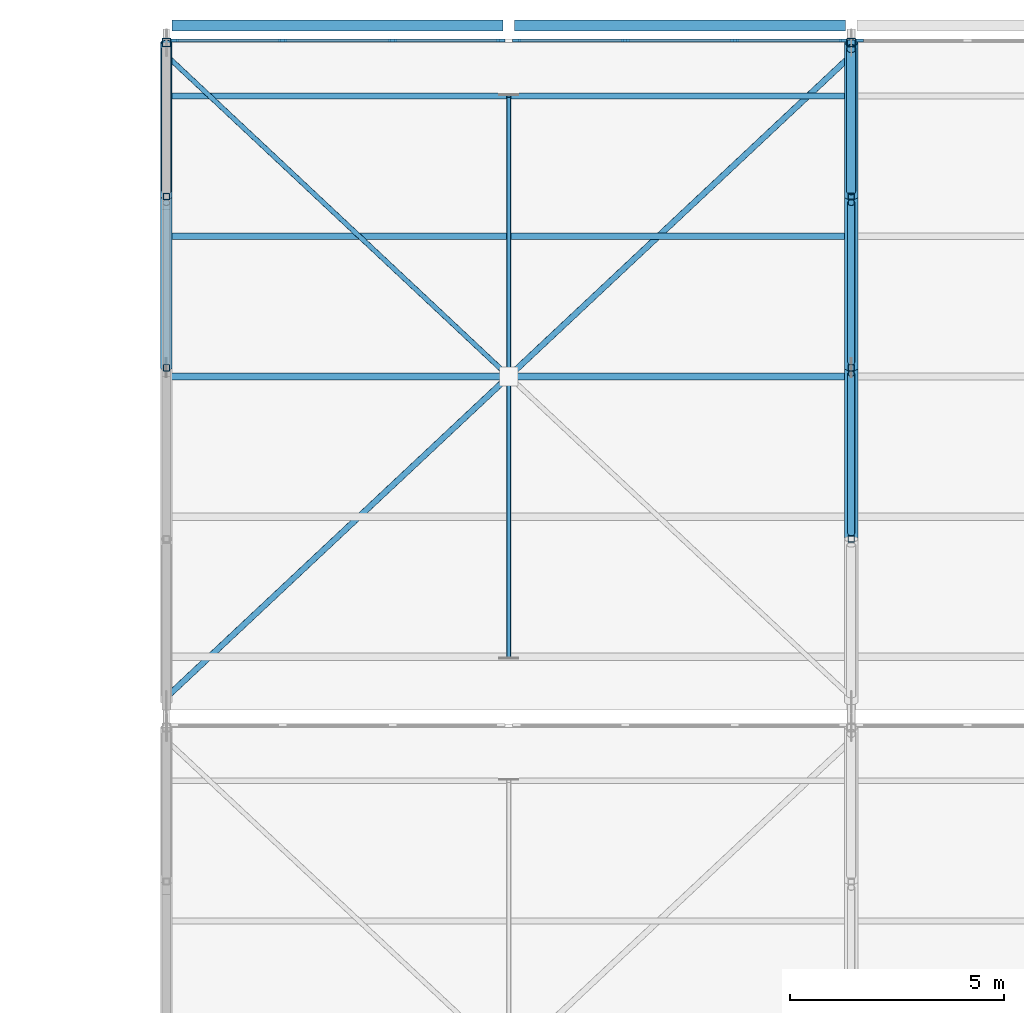
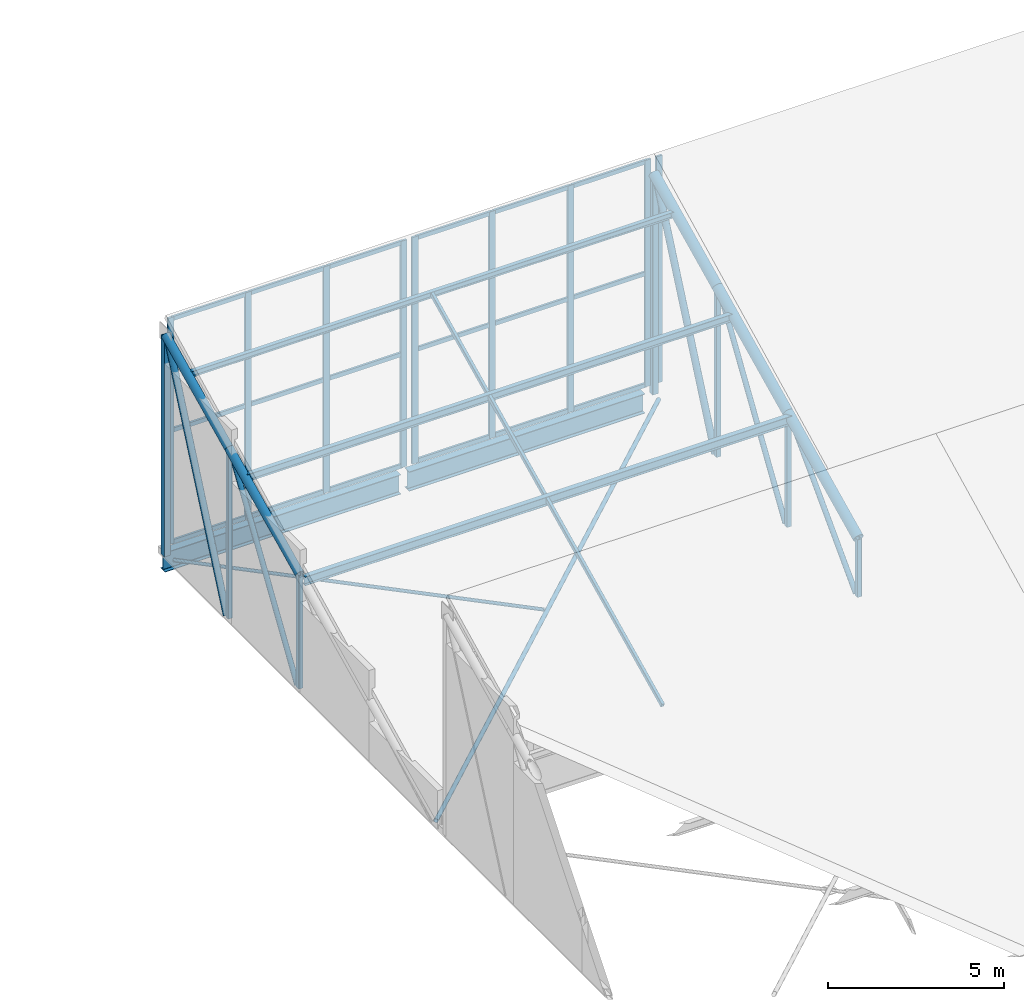
# One storey, part 44 of 137: 47 members, 5 beams, 3 elements without a shape of their own.
"""IFC4 building model written with IfcOpenShell, lengths in metres."""

from ifc_helpers import new_model, si_unit, direction, frame, origin, origin_2d, place, context, subcontext, project, spatial, rectangle, hollow_rectangle, hollow_circle, i_section, extrude, material, layer, layer_set, material_profile, profile_set, type_object, element, aggregate, save


model = new_model("IFC4")

# Units and contexts
model_context = context("Model", 3, precision=1e-05, world=origin(), true_north=direction((0.0, 1.0)))
body_context = subcontext(model_context, "Body", "Model", "MODEL_VIEW")
ifc_project = project(units=[si_unit("LENGTHUNIT", "METRE"), si_unit("AREAUNIT", "SQUARE_METRE"), si_unit("VOLUMEUNIT", "CUBIC_METRE"), si_unit("PLANEANGLEUNIT", "RADIAN"), si_unit("MASSUNIT", "GRAM", prefix="KILO")], contexts=[model_context])

# Site, building, storey
site_placement = place(None, origin())
site = spatial("IfcSite", under=ifc_project, at=site_placement, CompositionType="ELEMENT")
building_placement = place(site_placement, origin())
building = spatial("IfcBuilding", under=site, at=building_placement, Name="Jelvoka-Kovrelna Polytechnic", CompositionType="ELEMENT")
storey_placement = place(building_placement, frame((0.0, 0.0, 9.60009765625)))
storey = spatial("IfcBuildingStorey", under=building, at=storey_placement, Name="L03", CompositionType="ELEMENT", Elevation=9.60009765625)

# Beams
ifc_material_1 = material(Name="Structural steel S355JR", Category="steel")
ifc_material_profile_1 = material_profile(ifc_material_1, i_section(OverallWidth=0.2529296875, OverallDepth=0.677978515625, WebThickness=0.01171875, FlangeThickness=0.01611328125, FilletRadius=0.01513671875, at=origin_2d()), Name="686x254x125 UB")
ifc_profile_set_1 = profile_set([ifc_material_profile_1], Name="Structural steel S355JR")
beam_type_1 = type_object("IfcBeamType", Name="Girder_Steel_UB686", PredefinedType="BEAM", material=ifc_profile_set_1)
for number, where, z_axis, x_axis, name in (
    (1, (88.132568359375, 120.0, -0.34912109375), (1.0, 0.0, 0.0), (0.0, 1.0, 0.0), "L03 beam 0090"),
    (2, (96.132568359375, 120.0, -0.34912109375), (1.0, 0.0, 0.0), (0.0, 1.0, 0.0), "L03 beam 0092"),
):
    element("IfcBeam", number, at=place(storey_placement, frame(where, z_axis=z_axis, x_axis=x_axis)), inside=storey, type_object=beam_type_1, Name=name, PredefinedType="BEAM", context=body_context, shape_type="SweptSolid", body=[
        extrude(i_section(OverallWidth=0.2529296875, OverallDepth=0.677978515625, WebThickness=0.01171875, FlangeThickness=0.01611328125, FilletRadius=0.01513671875, at=origin_2d()), origin(), (0.0, 0.0, 1.0), 7.73486328125),
    ])

# Members
ifc_material_2 = material(Name="Structural steel S355J2H", Category="steel")
ifc_material_profile_2 = material_profile(ifc_material_2, hollow_circle(Radius=0.05712890625, WallThickness=0.00634765625, at=origin_2d()), Name="114.3x6.3 CHS")
ifc_profile_set_2 = profile_set([ifc_material_profile_2], Name="Structural steel S355J2H")
member_type_1 = type_object("IfcMemberType", Name="Member_Brace_CHS114", PredefinedType="BRACE", material=ifc_profile_set_2)
member_1_placement = place(storey_placement, frame((88.050048828125, 119.25, 0.14990234375), z_axis=(0.729679522085, -0.683789291412, 0.0), x_axis=(0.683789291412, 0.729679522085, 0.0)))
element("IfcMember", 3, at=member_1_placement, inside=storey, type_object=member_type_1, Name="Sawtooth roof split X-brace half-diagonal 0206", PredefinedType="BRACE", context=body_context, shape_type="SweptSolid", body=[
    extrude(hollow_circle(Radius=0.05712890625, WallThickness=0.00634765625, at=origin_2d()), origin(), (0.0, 0.0, 1.0), 10.80517578125),
])
ifc_material_3 = material(Name="Structural steel S355J2H", Category="steel")
ifc_material_profile_3 = material_profile(ifc_material_3, hollow_circle(Radius=0.06982421875, WallThickness=0.00634765625, at=origin_2d()), Name="139.7x6.3 CHS")
ifc_profile_set_3 = profile_set([ifc_material_profile_3], Name="Structural steel S355J2H")
member_type_2 = type_object("IfcMemberType", Name="Member_Brace_CHS140", PredefinedType="BRACE", material=ifc_profile_set_3)
member_2_placement = place(storey_placement, frame((88.050048828125, 104.35009765625, 0.14990234375), z_axis=(0.72968044266, 0.683788309055, 0.0), x_axis=(-0.683788309055, 0.72968044266, 0.0)))
element("IfcMember", 4, at=member_2_placement, inside=storey, type_object=member_type_2, Name="Sawtooth roof continuous X-brace 0205", PredefinedType="BRACE", context=body_context, shape_type="SweptSolid", body=[
    extrude(hollow_circle(Radius=0.06982421875, WallThickness=0.00634765625, at=origin_2d()), origin(), (0.0, 0.0, 1.0), 21.790283203125),
])
ifc_material_4 = material(Name="Structural steel S355J2H", Category="steel")
ifc_material_profile_4 = material_profile(ifc_material_4, hollow_circle(Radius=0.084228515625, WallThickness=0.008056640625, at=origin_2d()), Name="168.3x8.0 CHS")
ifc_profile_set_4 = profile_set([ifc_material_profile_4], Name="Structural steel S355J2H")
member_type_3 = type_object("IfcMemberType", Name="Member_Brace_CHS168", PredefinedType="BRACE", material=ifc_profile_set_4)
member_3_placement = place(storey_placement, frame((88.0, 112.139892578125, 0.14990234375), z_axis=(0.0, 0.5415746521, 0.840652660855), x_axis=(-1.0, 0.0, 0.0)))
element("IfcMember", 5, at=member_3_placement, inside=storey, type_object=member_type_3, Name="Sawtooth truss 1 diagonal web 2.3", PredefinedType="BRACE", context=body_context, shape_type="SweptSolid", body=[
    extrude(hollow_circle(Radius=0.084228515625, WallThickness=0.008056640625, at=origin_2d()), origin(), (0.0, 0.0, 1.0), 6.869140625),
])
member_4_placement = place(storey_placement, frame((104.0, 108.139892578125, 0.14990234375), z_axis=(0.0, 0.69521468222, 0.718802160282), x_axis=(-1.0, 0.0, 0.0)))
element("IfcMember", 6, at=member_4_placement, inside=storey, type_object=member_type_3, Name="Sawtooth truss 2 diagonal web 2.2", PredefinedType="BRACE", context=body_context, shape_type="SweptSolid", body=[
    extrude(hollow_circle(Radius=0.084228515625, WallThickness=0.008056640625, at=origin_2d()), origin(), (0.0, 0.0, 1.0), 5.35107421875),
])
member_5_placement = place(storey_placement, frame((104.0, 112.139892578125, 0.14990234375), z_axis=(0.0, 0.5415746521, 0.840652660855), x_axis=(-1.0, 0.0, 0.0)))
element("IfcMember", 7, at=member_5_placement, inside=storey, type_object=member_type_3, Name="Sawtooth truss 2 diagonal web 2.3", PredefinedType="BRACE", context=body_context, shape_type="SweptSolid", body=[
    extrude(hollow_circle(Radius=0.084228515625, WallThickness=0.008056640625, at=origin_2d()), origin(), (0.0, 0.0, 1.0), 6.869140625),
])
ifc_material_5 = material(Name="Structural steel S355J2H", Category="steel")
ifc_material_profile_5 = material_profile(ifc_material_5, hollow_circle(Radius=0.109619140625, WallThickness=0.008056640625, at=origin_2d()), Name="219.1x8.0 CHS")
ifc_profile_set_5 = profile_set([ifc_material_profile_5], Name="Structural steel S355J2H")
member_type_4 = type_object("IfcMemberType", Name="Member_Brace_CHS219", PredefinedType="BRACE", material=ifc_profile_set_5)
for number, where, z_axis, x_axis, name in (
    (8, (88.0, 116.139892578125, 0.14990234375), (0.0, 0.404336237521, 0.914610412705), (-1.0, 0.0, 0.0), "Sawtooth truss 1 diagonal web 2.4"),
    (9, (104.0, 116.139892578125, 0.14990234375), (0.0, 0.404336237521, 0.914610412705), (-1.0, 0.0, 0.0), "Sawtooth truss 2 diagonal web 2.4"),
):
    element("IfcMember", number, at=place(storey_placement, frame(where, z_axis=z_axis, x_axis=x_axis)), inside=storey, type_object=member_type_4, Name=name, PredefinedType="BRACE", context=body_context, shape_type="SweptSolid", body=[
        extrude(hollow_circle(Radius=0.109619140625, WallThickness=0.008056640625, at=origin_2d()), origin(), (0.0, 0.0, 1.0), 8.211181640625),
    ])
ifc_material_6 = material(Name="Structural steel S355J2H", Category="steel")
ifc_material_profile_6 = material_profile(ifc_material_6, hollow_circle(Radius=0.136474609375, WallThickness=0.010009765625, at=origin_2d()), Name="273.0x10.0 CHS")
ifc_profile_set_6 = profile_set([ifc_material_profile_6], Name="Structural steel S355J2H")
member_type_5 = type_object("IfcMemberType", Name="Member_Chord_CHS273", PredefinedType="CHORD", material=ifc_profile_set_6)
member_6_placement = place(storey_placement, frame((88.0, 112.0, 4.076416015625), z_axis=(0.0, 0.900820911068, 0.434190840741), x_axis=(-1.0, 0.0, 0.0)))
element("IfcMember", 10, at=member_6_placement, inside=storey, type_object=member_type_5, Name="Sawtooth truss 1 top chord 2.3", PredefinedType="CHORD", context=body_context, shape_type="SweptSolid", body=[
    extrude(hollow_circle(Radius=0.136474609375, WallThickness=0.010009765625, at=origin_2d()), origin(), (0.0, 0.0, 1.0), 4.4404296875),
])
member_7_placement = place(storey_placement, frame((88.0, 116.0, 6.00439453125), z_axis=(0.0, 0.900784896778, 0.434265552095), x_axis=(-1.0, 0.0, 0.0)))
element("IfcMember", 11, at=member_7_placement, inside=storey, type_object=member_type_5, Name="Sawtooth truss 1 top chord 2.4", PredefinedType="CHORD", context=body_context, shape_type="SweptSolid", body=[
    extrude(hollow_circle(Radius=0.136474609375, WallThickness=0.010009765625, at=origin_2d()), origin(), (0.0, 0.0, 1.0), 3.99658203125),
])
ifc_material_7 = material(Name="Structural steel S355J2H", Category="steel")
ifc_material_profile_7 = material_profile(ifc_material_7, hollow_circle(Radius=0.161865234375, WallThickness=0.010009765625, at=origin_2d()), Name="323.9x10.0 CHS")
ifc_profile_set_7 = profile_set([ifc_material_profile_7], Name="Structural steel S355J2H")
member_type_6 = type_object("IfcMemberType", Name="Member_Chord_CHS324", PredefinedType="CHORD", material=ifc_profile_set_7)
for number, where, z_axis, x_axis, name in (
    (12, (104.0, 108.0, 2.148193359375), (0.0, 0.900799405566, 0.434235455637), (-1.0, 0.0, 0.0), "Sawtooth truss 2 top chord 2.2"),
    (13, (104.0, 112.0, 4.076416015625), (0.0, 0.900820911068, 0.434190840741), (-1.0, 0.0, 0.0), "Sawtooth truss 2 top chord 2.3"),
):
    element("IfcMember", number, at=place(storey_placement, frame(where, z_axis=z_axis, x_axis=x_axis)), inside=storey, type_object=member_type_6, Name=name, PredefinedType="CHORD", context=body_context, shape_type="SweptSolid", body=[
        extrude(hollow_circle(Radius=0.161865234375, WallThickness=0.010009765625, at=origin_2d()), origin(), (0.0, 0.0, 1.0), 4.4404296875),
    ])
member_8_placement = place(storey_placement, frame((104.0, 116.0, 6.00439453125), z_axis=(0.0, 0.900784896778, 0.434265552095), x_axis=(-1.0, 0.0, 0.0)))
element("IfcMember", 14, at=member_8_placement, inside=storey, type_object=member_type_6, Name="Sawtooth truss 2 top chord 2.4", PredefinedType="CHORD", context=body_context, shape_type="SweptSolid", body=[
    extrude(hollow_circle(Radius=0.161865234375, WallThickness=0.010009765625, at=origin_2d()), origin(), (0.0, 0.0, 1.0), 3.99658203125),
])
ifc_material_8 = material(Name="Structural steel S355J2H", Category="steel")
ifc_material_profile_8 = material_profile(ifc_material_8, hollow_rectangle(XDim=0.14990234375, YDim=0.14990234375, WallThickness=0.008056640625, InnerFilletRadius=0.008056640625, OuterFilletRadius=0.011962890625, at=origin_2d()), Name="150x150x8.0 SHS")
ifc_profile_set_8 = profile_set([ifc_material_profile_8], Name="Structural steel S355J2H")
member_type_7 = type_object("IfcMemberType", Name="Member_Post_SHS150", PredefinedType="POST", material=ifc_profile_set_8)
member_9_placement = place(storey_placement, frame((88.0, 112.0, 0.14990234375), z_axis=(0.0, 0.0, 1.0), x_axis=(1.0, 0.0, 0.0)))
element("IfcMember", 15, at=member_9_placement, inside=storey, type_object=member_type_7, Name="Sawtooth truss 1 web post 2.3", PredefinedType="POST", context=body_context, shape_type="SweptSolid", body=[
    extrude(hollow_rectangle(XDim=0.14990234375, YDim=0.14990234375, WallThickness=0.008056640625, InnerFilletRadius=0.008056640625, OuterFilletRadius=0.011962890625, at=origin_2d()), origin(), (0.0, 0.0, 1.0), 3.926513671875),
])
member_10_placement = place(storey_placement, frame((88.0, 116.0, 0.14990234375), z_axis=(0.0, 0.0, 1.0), x_axis=(1.0, 0.0, 0.0)))
element("IfcMember", 16, at=member_10_placement, inside=storey, type_object=member_type_7, Name="Sawtooth truss 1 web post 2.4", PredefinedType="POST", context=body_context, shape_type="SweptSolid", body=[
    extrude(hollow_rectangle(XDim=0.14990234375, YDim=0.14990234375, WallThickness=0.008056640625, InnerFilletRadius=0.008056640625, OuterFilletRadius=0.011962890625, at=origin_2d()), origin(), (0.0, 0.0, 1.0), 5.8544921875),
])
member_11_placement = place(storey_placement, frame((104.0, 108.0, 0.14990234375), z_axis=(0.0, 0.0, 1.0), x_axis=(1.0, 0.0, 0.0)))
element("IfcMember", 17, at=member_11_placement, inside=storey, type_object=member_type_7, Name="Sawtooth truss 2 web post 2.2", PredefinedType="POST", context=body_context, shape_type="SweptSolid", body=[
    extrude(hollow_rectangle(XDim=0.14990234375, YDim=0.14990234375, WallThickness=0.008056640625, InnerFilletRadius=0.008056640625, OuterFilletRadius=0.011962890625, at=origin_2d()), origin(), (0.0, 0.0, 1.0), 1.998291015625),
])
member_12_placement = place(storey_placement, frame((104.0, 112.0, 0.14990234375), z_axis=(0.0, 0.0, 1.0), x_axis=(1.0, 0.0, 0.0)))
element("IfcMember", 18, at=member_12_placement, inside=storey, type_object=member_type_7, Name="Sawtooth truss 2 web post 2.3", PredefinedType="POST", context=body_context, shape_type="SweptSolid", body=[
    extrude(hollow_rectangle(XDim=0.14990234375, YDim=0.14990234375, WallThickness=0.008056640625, InnerFilletRadius=0.008056640625, OuterFilletRadius=0.011962890625, at=origin_2d()), origin(), (0.0, 0.0, 1.0), 3.926513671875),
])
member_13_placement = place(storey_placement, frame((104.0, 116.0, 0.14990234375), z_axis=(0.0, 0.0, 1.0), x_axis=(1.0, 0.0, 0.0)))
element("IfcMember", 19, at=member_13_placement, inside=storey, type_object=member_type_7, Name="Sawtooth truss 2 web post 2.4", PredefinedType="POST", context=body_context, shape_type="SweptSolid", body=[
    extrude(hollow_rectangle(XDim=0.14990234375, YDim=0.14990234375, WallThickness=0.008056640625, InnerFilletRadius=0.008056640625, OuterFilletRadius=0.011962890625, at=origin_2d()), origin(), (0.0, 0.0, 1.0), 5.8544921875),
])
ifc_material_9 = material(Name="Structural steel S355J2H", Category="steel")
ifc_material_profile_9 = material_profile(ifc_material_9, hollow_rectangle(XDim=0.199951171875, YDim=0.199951171875, WallThickness=0.010009765625, InnerFilletRadius=0.010009765625, OuterFilletRadius=0.014892578125, at=origin_2d()), Name="200x200x10.0 SHS")
ifc_profile_set_9 = profile_set([ifc_material_profile_9], Name="Structural steel S355J2H")
member_type_8 = type_object("IfcMemberType", Name="Member_Post_SHS200", PredefinedType="POST", material=ifc_profile_set_9)
for number, where, z_axis, x_axis, name in (
    (20, (88.0, 119.60009765625, 0.14990234375), (0.0, 0.0, 1.0), (1.0, 0.0, 0.0), "Sawtooth truss 1 web post 2.5"),
    (21, (104.0, 119.60009765625, 0.14990234375), (0.0, 0.0, 1.0), (1.0, 0.0, 0.0), "Sawtooth truss 2 web post 2.5"),
):
    element("IfcMember", number, at=place(storey_placement, frame(where, z_axis=z_axis, x_axis=x_axis)), inside=storey, type_object=member_type_8, Name=name, PredefinedType="POST", context=body_context, shape_type="SweptSolid", body=[
        extrude(hollow_rectangle(XDim=0.199951171875, YDim=0.199951171875, WallThickness=0.010009765625, InnerFilletRadius=0.010009765625, OuterFilletRadius=0.014892578125, at=origin_2d()), origin(), (0.0, 0.0, 1.0), 7.590087890625),
    ])
ifc_material_10 = material(Name="Structural steel S355J2H", Category="steel")
ifc_material_profile_10 = material_profile(ifc_material_10, hollow_rectangle(XDim=0.10009765625, YDim=0.14990234375, WallThickness=0.00634765625, InnerFilletRadius=0.00634765625, OuterFilletRadius=0.009521484375, at=origin_2d()), Name="150x100x6.3 RHS")
ifc_profile_set_10 = profile_set([ifc_material_profile_10], Name="Structural steel S355J2H")
member_type_9 = type_object("IfcMemberType", Name="Member_Rafter_RHS150", PredefinedType="RAFTER", material=ifc_profile_set_10)
member_14_placement = place(storey_placement, frame((96.0, 105.248046875, 0.821533203125), z_axis=(0.0, 0.900805023058, 0.434223802243), x_axis=(-1.0, 0.0, 0.0)))
element("IfcMember", 22, at=member_14_placement, inside=storey, type_object=member_type_9, Name="Sawtooth mid-bay secondary rafter 1.2", PredefinedType="RAFTER", context=body_context, shape_type="SweptSolid", body=[
    extrude(hollow_rectangle(XDim=0.10009765625, YDim=0.14990234375, WallThickness=0.00634765625, InnerFilletRadius=0.00634765625, OuterFilletRadius=0.009521484375, at=origin_2d()), origin(), (0.0, 0.0, 1.0), 14.546875),
])

# Curtain wall, members
ifc_material_11 = material(Name="Anodised aluminium 6063-T6", Category="aluminium")
ifc_layer = layer(ifc_material_11, 0.199951171875)
ifc_layer_set = layer_set([ifc_layer], Name="Anodised aluminium 6063-T6")
curtain_wall_type = type_object("IfcCurtainWallType", Name="CW_Clerestory", PredefinedType="NOTDEFINED", material=ifc_layer_set)
curtain_wall_1_placement = place(storey_placement, origin())
curtain_wall_1 = element("IfcCurtainWall", 23, at=curtain_wall_1_placement, inside=storey, type_object=curtain_wall_type, Name="L03 glazed curtain wall 184", PredefinedType="NOTDEFINED")
ifc_material_12 = material(Name="Anodised aluminium 6063-T6", Category="aluminium")
ifc_material_profile_11 = material_profile(ifc_material_12, rectangle(XDim=0.070068359375, YDim=0.199951171875, at=origin_2d()), Name="ALU 70x200")
ifc_profile_set_11 = profile_set([ifc_material_profile_11], Name="Anodised aluminium 6063-T6")
member_type_10 = type_object("IfcMemberType", Name="Mullion_M-03", PredefinedType="MULLION", material=ifc_profile_set_11)
member_15_placement = place(storey_placement, frame((88.18505859375, 119.64990234375, 0.425048828125), z_axis=(0.0, 0.0, 1.0), x_axis=(0.0, 1.0, 0.0)))
member_15 = element("IfcMember", 24, at=member_15_placement, type_object=member_type_10, Name="CW-03 mullion 1", PredefinedType="MULLION", context=body_context, shape_type="SweptSolid", body=[
    extrude(rectangle(XDim=0.070068359375, YDim=0.199951171875, at=origin_2d()), origin(), (0.0, 0.0, 1.0), 7.85009765625),
])
member_16_placement = place(storey_placement, frame((90.716552734375, 119.64990234375, 0.425048828125), z_axis=(0.0, 0.0, 1.0), x_axis=(0.0, 1.0, 0.0)))
member_16 = element("IfcMember", 25, at=member_16_placement, type_object=member_type_10, Name="CW-03 mullion 2", PredefinedType="MULLION", context=body_context, shape_type="SweptSolid", body=[
    extrude(rectangle(XDim=0.070068359375, YDim=0.199951171875, at=origin_2d()), origin(), (0.0, 0.0, 1.0), 7.85009765625),
])
member_17_placement = place(storey_placement, frame((93.283447265625, 119.64990234375, 0.425048828125), z_axis=(0.0, 0.0, 1.0), x_axis=(0.0, 1.0, 0.0)))
member_17 = element("IfcMember", 26, at=member_17_placement, type_object=member_type_10, Name="CW-03 mullion 3", PredefinedType="MULLION", context=body_context, shape_type="SweptSolid", body=[
    extrude(rectangle(XDim=0.070068359375, YDim=0.199951171875, at=origin_2d()), origin(), (0.0, 0.0, 1.0), 7.85009765625),
])
member_18_placement = place(storey_placement, frame((95.81494140625, 119.64990234375, 0.425048828125), z_axis=(0.0, 0.0, 1.0), x_axis=(0.0, 1.0, 0.0)))
member_18 = element("IfcMember", 27, at=member_18_placement, type_object=member_type_10, Name="CW-03 mullion 4", PredefinedType="MULLION", context=body_context, shape_type="SweptSolid", body=[
    extrude(rectangle(XDim=0.070068359375, YDim=0.199951171875, at=origin_2d()), origin(), (0.0, 0.0, 1.0), 7.85009765625),
])

curtain_wall_2_placement = place(storey_placement, origin())
curtain_wall_2 = element("IfcCurtainWall", 28, at=curtain_wall_2_placement, inside=storey, type_object=curtain_wall_type, Name="L03 glazed curtain wall 186", PredefinedType="NOTDEFINED")
member_19_placement = place(storey_placement, frame((96.18505859375, 119.64990234375, 0.425048828125), z_axis=(0.0, 0.0, 1.0), x_axis=(0.0, 1.0, 0.0)))
member_19 = element("IfcMember", 29, at=member_19_placement, type_object=member_type_10, Name="CW-03 mullion 1", PredefinedType="MULLION", context=body_context, shape_type="SweptSolid", body=[
    extrude(rectangle(XDim=0.070068359375, YDim=0.199951171875, at=origin_2d()), origin(), (0.0, 0.0, 1.0), 7.85009765625),
])
member_20_placement = place(storey_placement, frame((98.716552734375, 119.64990234375, 0.425048828125), z_axis=(0.0, 0.0, 1.0), x_axis=(0.0, 1.0, 0.0)))
member_20 = element("IfcMember", 30, at=member_20_placement, type_object=member_type_10, Name="CW-03 mullion 2", PredefinedType="MULLION", context=body_context, shape_type="SweptSolid", body=[
    extrude(rectangle(XDim=0.070068359375, YDim=0.199951171875, at=origin_2d()), origin(), (0.0, 0.0, 1.0), 7.85009765625),
])
member_21_placement = place(storey_placement, frame((101.283447265625, 119.64990234375, 0.425048828125), z_axis=(0.0, 0.0, 1.0), x_axis=(0.0, 1.0, 0.0)))
member_21 = element("IfcMember", 31, at=member_21_placement, type_object=member_type_10, Name="CW-03 mullion 3", PredefinedType="MULLION", context=body_context, shape_type="SweptSolid", body=[
    extrude(rectangle(XDim=0.070068359375, YDim=0.199951171875, at=origin_2d()), origin(), (0.0, 0.0, 1.0), 7.85009765625),
])
member_22_placement = place(storey_placement, frame((103.81494140625, 119.64990234375, 0.425048828125), z_axis=(0.0, 0.0, 1.0), x_axis=(0.0, 1.0, 0.0)))
member_22 = element("IfcMember", 32, at=member_22_placement, type_object=member_type_10, Name="CW-03 mullion 4", PredefinedType="MULLION", context=body_context, shape_type="SweptSolid", body=[
    extrude(rectangle(XDim=0.070068359375, YDim=0.199951171875, at=origin_2d()), origin(), (0.0, 0.0, 1.0), 7.85009765625),
])

# Curtain wall, member
curtain_wall_3_placement = place(storey_placement, origin())
curtain_wall_3 = element("IfcCurtainWall", 33, at=curtain_wall_3_placement, inside=storey, type_object=curtain_wall_type, Name="L03 glazed curtain wall 188", PredefinedType="NOTDEFINED")
member_23_placement = place(storey_placement, frame((104.18505859375, 119.64990234375, 0.425048828125), z_axis=(0.0, 0.0, 1.0), x_axis=(0.0, 1.0, 0.0)))
member_23 = element("IfcMember", 34, at=member_23_placement, type_object=member_type_10, Name="CW-03 mullion 1", PredefinedType="MULLION", context=body_context, shape_type="SweptSolid", body=[
    extrude(rectangle(XDim=0.070068359375, YDim=0.199951171875, at=origin_2d()), origin(), (0.0, 0.0, 1.0), 7.85009765625),
])
aggregate(curtain_wall_3, [member_23])

# Beams
ifc_material_13 = material(Name="Structural steel S355JR", Category="steel")
ifc_material_profile_12 = material_profile(ifc_material_13, i_section(OverallWidth=0.13330078125, OverallDepth=0.203125, WebThickness=0.005615234375, FlangeThickness=0.0078125, FilletRadius=0.007568359375, at=origin_2d()), Name="203x133x25 UB")
ifc_profile_set_12 = profile_set([ifc_material_profile_12], Name="Structural steel S355JR")
beam_type_2 = type_object("IfcBeamType", Name="Purlin_Steel_UB203", PredefinedType="JOIST", material=ifc_profile_set_12)
beam_1_placement = place(storey_placement, frame((88.02001953125, 118.35205078125, 7.13818359375), z_axis=(1.0, 0.0, 0.0), x_axis=(0.0, 1.0, 0.0)))
element("IfcBeam", 35, at=beam_1_placement, inside=storey, type_object=beam_type_2, Name="Sawtooth roof purlin 010", PredefinedType="JOIST", context=body_context, shape_type="SweptSolid", body=[
    extrude(i_section(OverallWidth=0.13330078125, OverallDepth=0.203125, WebThickness=0.005615234375, FlangeThickness=0.0078125, FilletRadius=0.007568359375, at=origin_2d()), origin(), (0.0, 0.0, 1.0), 15.9599609375),
])
ifc_material_14 = material(Name="Structural steel S355JR", Category="steel")
ifc_material_profile_13 = material_profile(ifc_material_14, i_section(OverallWidth=0.14599609375, OverallDepth=0.25146484375, WebThickness=0.006103515625, FlangeThickness=0.008544921875, FilletRadius=0.007568359375, at=origin_2d()), Name="254x146x31 UB")
ifc_profile_set_13 = profile_set([ifc_material_profile_13], Name="Structural steel S355JR")
beam_type_3 = type_object("IfcBeamType", Name="Purlin_Steel_UB254", PredefinedType="JOIST", material=ifc_profile_set_13)
beam_2_placement = place(storey_placement, frame((88.02001953125, 115.075927734375, 5.55908203125), z_axis=(1.0, 0.0, 0.0), x_axis=(0.0, 1.0, 0.0)))
element("IfcBeam", 36, at=beam_2_placement, inside=storey, type_object=beam_type_3, Name="Sawtooth roof purlin 009", PredefinedType="JOIST", context=body_context, shape_type="SweptSolid", body=[
    extrude(i_section(OverallWidth=0.14599609375, OverallDepth=0.25146484375, WebThickness=0.006103515625, FlangeThickness=0.008544921875, FilletRadius=0.007568359375, at=origin_2d()), origin(), (0.0, 0.0, 1.0), 15.9599609375),
])
ifc_material_15 = material(Name="Structural steel S355JR", Category="steel")
ifc_material_profile_14 = material_profile(ifc_material_15, i_section(OverallWidth=0.1650390625, OverallDepth=0.303466796875, WebThickness=0.006103515625, FlangeThickness=0.01025390625, FilletRadius=0.0087890625, at=origin_2d()), Name="305x165x40 UB")
ifc_profile_set_14 = profile_set([ifc_material_profile_14], Name="Structural steel S355JR")
beam_type_4 = type_object("IfcBeamType", Name="Purlin_Steel_UB305", PredefinedType="JOIST", material=ifc_profile_set_14)
beam_3_placement = place(storey_placement, frame((88.02001953125, 111.800048828125, 3.97998046875), z_axis=(1.0, 0.0, 0.0), x_axis=(0.0, 1.0, 0.0)))
element("IfcBeam", 37, at=beam_3_placement, inside=storey, type_object=beam_type_4, Name="Sawtooth roof purlin 008", PredefinedType="JOIST", context=body_context, shape_type="SweptSolid", body=[
    extrude(i_section(OverallWidth=0.1650390625, OverallDepth=0.303466796875, WebThickness=0.006103515625, FlangeThickness=0.01025390625, FilletRadius=0.0087890625, at=origin_2d()), origin(), (0.0, 0.0, 1.0), 15.9599609375),
])

# Member
ifc_material_16 = material(Name="Anodised aluminium 6063-T6", Category="aluminium")
ifc_material_profile_15 = material_profile(ifc_material_16, rectangle(XDim=0.070068359375, YDim=0.14501953125, at=origin_2d()), Name="ALU 70x145")
ifc_profile_set_15 = profile_set([ifc_material_profile_15], Name="Anodised aluminium 6063-T6")
member_type_11 = type_object("IfcMemberType", Name="Transom_T-03", PredefinedType="USERDEFINED", material=ifc_profile_set_15)
member_24_placement = place(storey_placement, frame((88.219970703125, 119.64990234375, 0.48486328125), z_axis=(1.0, 0.0, 0.0), x_axis=(0.0, 1.0, 0.0)))
member_24 = element("IfcMember", 38, at=member_24_placement, type_object=member_type_11, Name="CW-03 transom 1.1", ObjectType="TRANSOM", PredefinedType="USERDEFINED", context=body_context, shape_type="SweptSolid", body=[
    extrude(rectangle(XDim=0.070068359375, YDim=0.14501953125, at=origin_2d()), origin(), (0.0, 0.0, 1.0), 2.461669921875),
])

member_25_placement = place(storey_placement, frame((88.219970703125, 119.64990234375, 4.349853515625), z_axis=(1.0, 0.0, 0.0), x_axis=(0.0, 1.0, 0.0)))
member_25 = element("IfcMember", 39, at=member_25_placement, type_object=member_type_11, Name="CW-03 transom 1.2", ObjectType="TRANSOM", PredefinedType="USERDEFINED", context=body_context, shape_type="SweptSolid", body=[
    extrude(rectangle(XDim=0.070068359375, YDim=0.14501953125, at=origin_2d()), origin(), (0.0, 0.0, 1.0), 2.461669921875),
])

member_26_placement = place(storey_placement, frame((88.219970703125, 119.64990234375, 8.21484375), z_axis=(1.0, 0.0, 0.0), x_axis=(0.0, 1.0, 0.0)))
member_26 = element("IfcMember", 40, at=member_26_placement, type_object=member_type_11, Name="CW-03 transom 1.3", ObjectType="TRANSOM", PredefinedType="USERDEFINED", context=body_context, shape_type="SweptSolid", body=[
    extrude(rectangle(XDim=0.070068359375, YDim=0.14501953125, at=origin_2d()), origin(), (0.0, 0.0, 1.0), 2.461669921875),
])

member_27_placement = place(storey_placement, frame((90.751708984375, 119.64990234375, 0.48486328125), z_axis=(1.0, 0.0, 0.0), x_axis=(0.0, 1.0, 0.0)))
member_27 = element("IfcMember", 41, at=member_27_placement, type_object=member_type_11, Name="CW-03 transom 2.1", ObjectType="TRANSOM", PredefinedType="USERDEFINED", context=body_context, shape_type="SweptSolid", body=[
    extrude(rectangle(XDim=0.070068359375, YDim=0.14501953125, at=origin_2d()), origin(), (0.0, 0.0, 1.0), 2.49658203125),
])

member_28_placement = place(storey_placement, frame((90.751708984375, 119.64990234375, 4.349853515625), z_axis=(1.0, 0.0, 0.0), x_axis=(0.0, 1.0, 0.0)))
member_28 = element("IfcMember", 42, at=member_28_placement, type_object=member_type_11, Name="CW-03 transom 2.2", ObjectType="TRANSOM", PredefinedType="USERDEFINED", context=body_context, shape_type="SweptSolid", body=[
    extrude(rectangle(XDim=0.070068359375, YDim=0.14501953125, at=origin_2d()), origin(), (0.0, 0.0, 1.0), 2.49658203125),
])

member_29_placement = place(storey_placement, frame((90.751708984375, 119.64990234375, 8.21484375), z_axis=(1.0, 0.0, 0.0), x_axis=(0.0, 1.0, 0.0)))
member_29 = element("IfcMember", 43, at=member_29_placement, type_object=member_type_11, Name="CW-03 transom 2.3", ObjectType="TRANSOM", PredefinedType="USERDEFINED", context=body_context, shape_type="SweptSolid", body=[
    extrude(rectangle(XDim=0.070068359375, YDim=0.14501953125, at=origin_2d()), origin(), (0.0, 0.0, 1.0), 2.49658203125),
])

member_30_placement = place(storey_placement, frame((93.318359375, 119.64990234375, 0.48486328125), z_axis=(1.0, 0.0, 0.0), x_axis=(0.0, 1.0, 0.0)))
member_30 = element("IfcMember", 44, at=member_30_placement, type_object=member_type_11, Name="CW-03 transom 3.1", ObjectType="TRANSOM", PredefinedType="USERDEFINED", context=body_context, shape_type="SweptSolid", body=[
    extrude(rectangle(XDim=0.070068359375, YDim=0.14501953125, at=origin_2d()), origin(), (0.0, 0.0, 1.0), 2.461669921875),
])

member_31_placement = place(storey_placement, frame((93.318359375, 119.64990234375, 4.349853515625), z_axis=(1.0, 0.0, 0.0), x_axis=(0.0, 1.0, 0.0)))
member_31 = element("IfcMember", 45, at=member_31_placement, type_object=member_type_11, Name="CW-03 transom 3.2", ObjectType="TRANSOM", PredefinedType="USERDEFINED", context=body_context, shape_type="SweptSolid", body=[
    extrude(rectangle(XDim=0.070068359375, YDim=0.14501953125, at=origin_2d()), origin(), (0.0, 0.0, 1.0), 2.461669921875),
])

member_32_placement = place(storey_placement, frame((93.318359375, 119.64990234375, 8.21484375), z_axis=(1.0, 0.0, 0.0), x_axis=(0.0, 1.0, 0.0)))
member_32 = element("IfcMember", 46, at=member_32_placement, type_object=member_type_11, Name="CW-03 transom 3.3", ObjectType="TRANSOM", PredefinedType="USERDEFINED", context=body_context, shape_type="SweptSolid", body=[
    extrude(rectangle(XDim=0.070068359375, YDim=0.14501953125, at=origin_2d()), origin(), (0.0, 0.0, 1.0), 2.461669921875),
])

aggregate(curtain_wall_1, [member_15, member_16, member_17, member_18, member_24, member_25, member_26, member_27, member_28, member_29, member_30, member_31, member_32])

member_33_placement = place(storey_placement, frame((96.219970703125, 119.64990234375, 0.48486328125), z_axis=(1.0, 0.0, 0.0), x_axis=(0.0, 1.0, 0.0)))
member_33 = element("IfcMember", 47, at=member_33_placement, type_object=member_type_11, Name="CW-03 transom 1.1", ObjectType="TRANSOM", PredefinedType="USERDEFINED", context=body_context, shape_type="SweptSolid", body=[
    extrude(rectangle(XDim=0.070068359375, YDim=0.14501953125, at=origin_2d()), origin(), (0.0, 0.0, 1.0), 2.461669921875),
])

member_34_placement = place(storey_placement, frame((96.219970703125, 119.64990234375, 4.349853515625), z_axis=(1.0, 0.0, 0.0), x_axis=(0.0, 1.0, 0.0)))
member_34 = element("IfcMember", 48, at=member_34_placement, type_object=member_type_11, Name="CW-03 transom 1.2", ObjectType="TRANSOM", PredefinedType="USERDEFINED", context=body_context, shape_type="SweptSolid", body=[
    extrude(rectangle(XDim=0.070068359375, YDim=0.14501953125, at=origin_2d()), origin(), (0.0, 0.0, 1.0), 2.461669921875),
])

member_35_placement = place(storey_placement, frame((96.219970703125, 119.64990234375, 8.21484375), z_axis=(1.0, 0.0, 0.0), x_axis=(0.0, 1.0, 0.0)))
member_35 = element("IfcMember", 49, at=member_35_placement, type_object=member_type_11, Name="CW-03 transom 1.3", ObjectType="TRANSOM", PredefinedType="USERDEFINED", context=body_context, shape_type="SweptSolid", body=[
    extrude(rectangle(XDim=0.070068359375, YDim=0.14501953125, at=origin_2d()), origin(), (0.0, 0.0, 1.0), 2.461669921875),
])

member_36_placement = place(storey_placement, frame((98.751708984375, 119.64990234375, 0.48486328125), z_axis=(1.0, 0.0, 0.0), x_axis=(0.0, 1.0, 0.0)))
member_36 = element("IfcMember", 50, at=member_36_placement, type_object=member_type_11, Name="CW-03 transom 2.1", ObjectType="TRANSOM", PredefinedType="USERDEFINED", context=body_context, shape_type="SweptSolid", body=[
    extrude(rectangle(XDim=0.070068359375, YDim=0.14501953125, at=origin_2d()), origin(), (0.0, 0.0, 1.0), 2.49658203125),
])

member_37_placement = place(storey_placement, frame((98.751708984375, 119.64990234375, 4.349853515625), z_axis=(1.0, 0.0, 0.0), x_axis=(0.0, 1.0, 0.0)))
member_37 = element("IfcMember", 51, at=member_37_placement, type_object=member_type_11, Name="CW-03 transom 2.2", ObjectType="TRANSOM", PredefinedType="USERDEFINED", context=body_context, shape_type="SweptSolid", body=[
    extrude(rectangle(XDim=0.070068359375, YDim=0.14501953125, at=origin_2d()), origin(), (0.0, 0.0, 1.0), 2.49658203125),
])

member_38_placement = place(storey_placement, frame((98.751708984375, 119.64990234375, 8.21484375), z_axis=(1.0, 0.0, 0.0), x_axis=(0.0, 1.0, 0.0)))
member_38 = element("IfcMember", 52, at=member_38_placement, type_object=member_type_11, Name="CW-03 transom 2.3", ObjectType="TRANSOM", PredefinedType="USERDEFINED", context=body_context, shape_type="SweptSolid", body=[
    extrude(rectangle(XDim=0.070068359375, YDim=0.14501953125, at=origin_2d()), origin(), (0.0, 0.0, 1.0), 2.49658203125),
])

member_39_placement = place(storey_placement, frame((101.318359375, 119.64990234375, 0.48486328125), z_axis=(1.0, 0.0, 0.0), x_axis=(0.0, 1.0, 0.0)))
member_39 = element("IfcMember", 53, at=member_39_placement, type_object=member_type_11, Name="CW-03 transom 3.1", ObjectType="TRANSOM", PredefinedType="USERDEFINED", context=body_context, shape_type="SweptSolid", body=[
    extrude(rectangle(XDim=0.070068359375, YDim=0.14501953125, at=origin_2d()), origin(), (0.0, 0.0, 1.0), 2.461669921875),
])

member_40_placement = place(storey_placement, frame((101.318359375, 119.64990234375, 4.349853515625), z_axis=(1.0, 0.0, 0.0), x_axis=(0.0, 1.0, 0.0)))
member_40 = element("IfcMember", 54, at=member_40_placement, type_object=member_type_11, Name="CW-03 transom 3.2", ObjectType="TRANSOM", PredefinedType="USERDEFINED", context=body_context, shape_type="SweptSolid", body=[
    extrude(rectangle(XDim=0.070068359375, YDim=0.14501953125, at=origin_2d()), origin(), (0.0, 0.0, 1.0), 2.461669921875),
])

member_41_placement = place(storey_placement, frame((101.318359375, 119.64990234375, 8.21484375), z_axis=(1.0, 0.0, 0.0), x_axis=(0.0, 1.0, 0.0)))
member_41 = element("IfcMember", 55, at=member_41_placement, type_object=member_type_11, Name="CW-03 transom 3.3", ObjectType="TRANSOM", PredefinedType="USERDEFINED", context=body_context, shape_type="SweptSolid", body=[
    extrude(rectangle(XDim=0.070068359375, YDim=0.14501953125, at=origin_2d()), origin(), (0.0, 0.0, 1.0), 2.461669921875),
])

aggregate(curtain_wall_2, [member_19, member_20, member_21, member_22, member_33, member_34, member_35, member_36, member_37, member_38, member_39, member_40, member_41])

save(model, "model.ifc")
